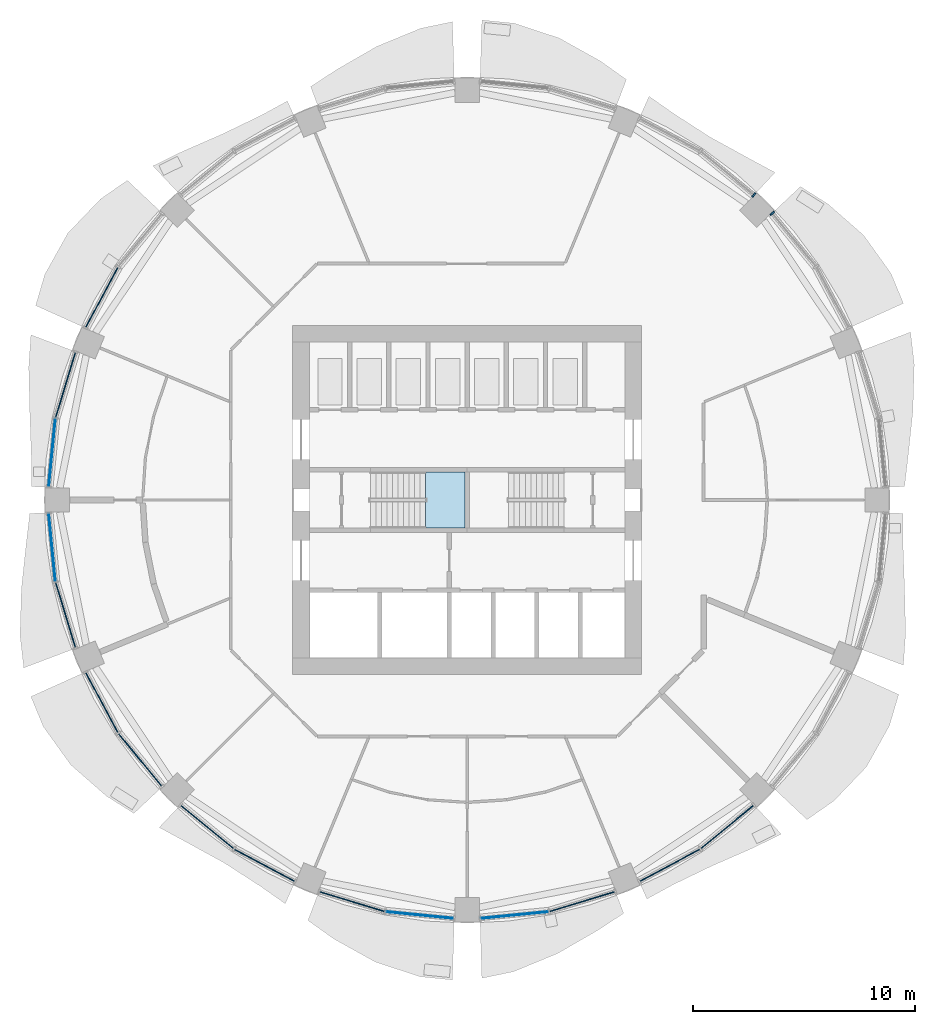
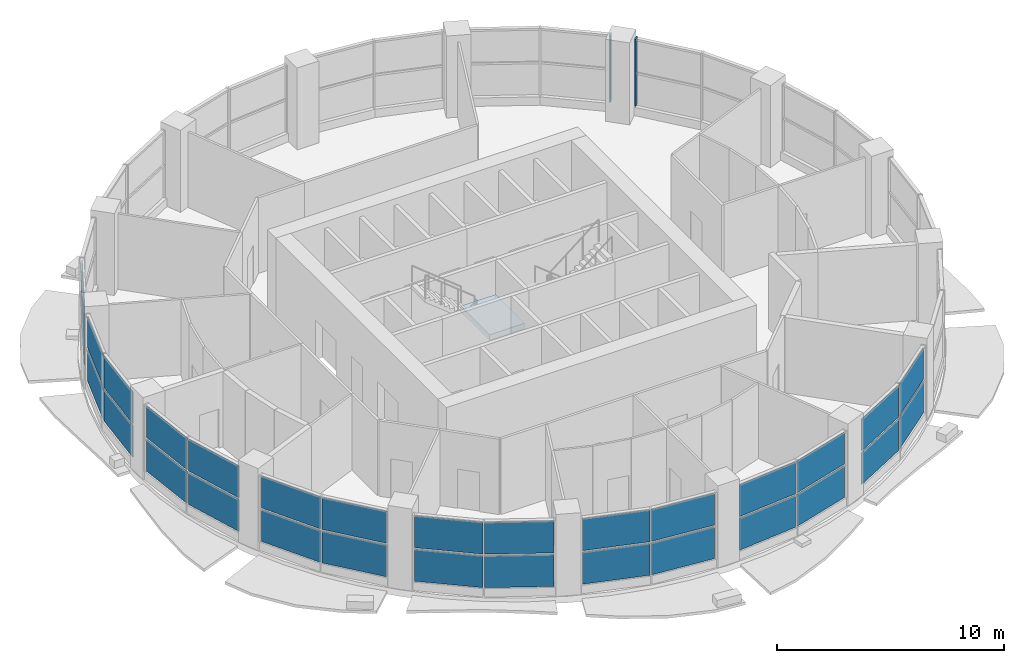
# One storey, part 4 of 13: 30 plates, 2 members, 1 slab, 11 elements without a shape of their own.
"""IFC4 building model written with IfcOpenShell, lengths in metres."""

from ifc_helpers import new_model, si_unit, direction, frame, origin, origin_2d, place, context, subcontext, project, spatial, polyline, rectangle, outline, extrude, material, layer, layer_set, material_profile, profile_set, type_object, element, aggregate, save


model = new_model("IFC4")

# Units and contexts
model_context = context("Model", 3, precision=1e-05, world=origin(), true_north=direction((0.0, 1.0)))
body_context = subcontext(model_context, "Body", "Model", "MODEL_VIEW")
ifc_project = project(units=[si_unit("LENGTHUNIT", "METRE"), si_unit("AREAUNIT", "SQUARE_METRE"), si_unit("VOLUMEUNIT", "CUBIC_METRE"), si_unit("PLANEANGLEUNIT", "RADIAN"), si_unit("MASSUNIT", "GRAM", prefix="KILO")], contexts=[model_context])

# Site, building, storey
site_placement = place(None, origin())
site = spatial("IfcSite", under=ifc_project, at=site_placement, CompositionType="ELEMENT")
building_placement = place(site_placement, origin())
building = spatial("IfcBuilding", under=site, at=building_placement, Name="Polderwave Tower", CompositionType="ELEMENT")
storey_placement = place(building_placement, frame((0.0, 0.0, 116.550048828125)))
storey = spatial("IfcBuildingStorey", under=building, at=storey_placement, Name="L30", CompositionType="ELEMENT", Elevation=116.550048828125)

# Curtain wall, member
ifc_material_1 = material(Name="Aluminium 6063-T6 and glass", Category="aluminium")
curtain_wall_type = type_object("IfcCurtainWallType", Name="Sky floor glazing wall", PredefinedType="NOTDEFINED", material=ifc_material_1)
curtain_wall_1_placement = place(storey_placement, origin())
curtain_wall_1 = element("IfcCurtainWall", 1, at=curtain_wall_1_placement, inside=storey, type_object=curtain_wall_type, Name="CW4 L30 01", PredefinedType="NOTDEFINED")
ifc_material_2 = material(Name="Aluminium 6063-T6", Category="aluminium")
ifc_material_profile = material_profile(ifc_material_2, rectangle(XDim=0.239990234375, YDim=0.074951171875, at=origin_2d()), Name="AL 75x240")
ifc_profile_set = profile_set([ifc_material_profile], Name="Aluminium 6063-T6")
member_type = type_object("IfcMemberType", Name="Sky floor glazing mullion 75x240", PredefinedType="MULLION", material=ifc_profile_set)
member_1_placement = place(storey_placement, frame((13.773681640625, 12.943115234375, 0.449951171875), z_axis=(0.0, 0.0, 1.0), x_axis=(-0.77296948442, -0.634443201678, 0.0)))
member_1 = element("IfcMember", 2, at=member_1_placement, type_object=member_type, Name="CW4 mullion 3", PredefinedType="MULLION", context=body_context, shape_type="SweptSolid", body=[
    extrude(rectangle(XDim=0.239990234375, YDim=0.074951171875, at=origin_2d()), origin(), (0.0, 0.0, 1.0), 3.60009765625),
])
aggregate(curtain_wall_1, [member_1])

curtain_wall_2_placement = place(storey_placement, origin())
curtain_wall_2 = element("IfcCurtainWall", 3, at=curtain_wall_2_placement, inside=storey, type_object=curtain_wall_type, Name="CW4 L30 02", PredefinedType="NOTDEFINED")
member_2_placement = place(storey_placement, frame((12.943115234375, 13.773681640625, 0.449951171875), z_axis=(0.0, 0.0, 1.0), x_axis=(-0.634443201678, -0.77296948442, 0.0)))
member_2 = element("IfcMember", 4, at=member_2_placement, type_object=member_type, Name="CW4 mullion 1", PredefinedType="MULLION", context=body_context, shape_type="SweptSolid", body=[
    extrude(rectangle(XDim=0.239990234375, YDim=0.074951171875, at=origin_2d()), origin(), (0.0, 0.0, 1.0), 3.60009765625),
])
aggregate(curtain_wall_2, [member_2])

# Curtain wall, plates
curtain_wall_3_placement = place(storey_placement, origin())
curtain_wall_3 = element("IfcCurtainWall", 5, at=curtain_wall_3_placement, inside=storey, type_object=curtain_wall_type, Name="CW4 L30 06", PredefinedType="NOTDEFINED")
ifc_material_3 = material(Name="Glass, low-e laminated double glazing", Category="glass")
ifc_layer_1 = layer(ifc_material_3, 0.0439453125)
ifc_layer_set_1 = layer_set([ifc_layer_1], Name="Sky floor glazing glass panel 44 mm")
plate_type = type_object("IfcPlateType", Name="Sky floor glazing glass panel 44 mm", PredefinedType="CURTAIN_PANEL", material=ifc_layer_set_1)
plate_1_placement = place(storey_placement, frame((-16.49267578125, 9.14990234375, 0.4501953125), z_axis=(0.0, 0.0, 1.0), x_axis=(-0.471458305396, -0.881888352499, 0.0)))
plate_1 = element("IfcPlate", 6, at=plate_1_placement, type_object=plate_type, Name="CW4 panel 3", PredefinedType="CURTAIN_PANEL", context=body_context, shape_type="SweptSolid", body=[
    extrude(rectangle(XDim=3.050048828125, YDim=0.0439453125, at=origin_2d()), origin(), (0.0, 0.0, 1.0), 1.699951171875),
])
plate_2_placement = place(storey_placement, frame((-16.49267578125, 9.14990234375, 2.25), z_axis=(0.0, 0.0, 1.0), x_axis=(-0.471458305396, -0.881888352499, 0.0)))
plate_2 = element("IfcPlate", 7, at=plate_2_placement, type_object=plate_type, Name="CW4 panel 4", PredefinedType="CURTAIN_PANEL", context=body_context, shape_type="SweptSolid", body=[
    extrude(rectangle(XDim=3.050048828125, YDim=0.0439453125, at=origin_2d()), origin(), (0.0, 0.0, 1.0), 1.699951171875),
])
aggregate(curtain_wall_3, [plate_1, plate_2])

curtain_wall_4_placement = place(storey_placement, origin())
curtain_wall_4 = element("IfcCurtainWall", 8, at=curtain_wall_4_placement, inside=storey, type_object=curtain_wall_type, Name="CW4 L30 07", PredefinedType="NOTDEFINED")
plate_3_placement = place(storey_placement, frame((-18.13232421875, 5.192138671875, 0.4501953125), z_axis=(0.0, 0.0, 1.0), x_axis=(-0.290306389467, -0.956933749135, 0.0)))
plate_3 = element("IfcPlate", 9, at=plate_3_placement, type_object=plate_type, Name="CW4 panel 1", PredefinedType="CURTAIN_PANEL", context=body_context, shape_type="SweptSolid", body=[
    extrude(rectangle(XDim=3.0498046875, YDim=0.0439453125, at=origin_2d()), origin(), (0.0, 0.0, 1.0), 1.699951171875),
])
plate_4_placement = place(storey_placement, frame((-18.13232421875, 5.192138671875, 2.25), z_axis=(0.0, 0.0, 1.0), x_axis=(-0.290306389467, -0.956933749135, 0.0)))
plate_4 = element("IfcPlate", 10, at=plate_4_placement, type_object=plate_type, Name="CW4 panel 2", PredefinedType="CURTAIN_PANEL", context=body_context, shape_type="SweptSolid", body=[
    extrude(rectangle(XDim=3.0498046875, YDim=0.0439453125, at=origin_2d()), origin(), (0.0, 0.0, 1.0), 1.699951171875),
])
plate_5_placement = place(storey_placement, frame((-18.7392578125, 2.14208984375, 0.4501953125), z_axis=(0.0, 0.0, 1.0), x_axis=(-0.098032772643, -0.9951831869, 0.0)))
plate_5 = element("IfcPlate", 11, at=plate_5_placement, type_object=plate_type, Name="CW4 panel 3", PredefinedType="CURTAIN_PANEL", context=body_context, shape_type="SweptSolid", body=[
    extrude(rectangle(XDim=3.0498046875, YDim=0.0439453125, at=origin_2d()), origin(), (0.0, 0.0, 1.0), 1.699951171875),
])
plate_6_placement = place(storey_placement, frame((-18.7392578125, 2.14208984375, 2.25), z_axis=(0.0, 0.0, 1.0), x_axis=(-0.098032772643, -0.9951831869, 0.0)))
plate_6 = element("IfcPlate", 12, at=plate_6_placement, type_object=plate_type, Name="CW4 panel 4", PredefinedType="CURTAIN_PANEL", context=body_context, shape_type="SweptSolid", body=[
    extrude(rectangle(XDim=3.0498046875, YDim=0.0439453125, at=origin_2d()), origin(), (0.0, 0.0, 1.0), 1.699951171875),
])
aggregate(curtain_wall_4, [plate_3, plate_4, plate_5, plate_6])

curtain_wall_5_placement = place(storey_placement, origin())
curtain_wall_5 = element("IfcCurtainWall", 13, at=curtain_wall_5_placement, inside=storey, type_object=curtain_wall_type, Name="CW4 L30 08", PredefinedType="NOTDEFINED")
plate_7_placement = place(storey_placement, frame((-18.7392578125, -2.14208984375, 0.4501953125), z_axis=(0.0, 0.0, 1.0), x_axis=(0.098032772643, -0.9951831869, 0.0)))
plate_7 = element("IfcPlate", 14, at=plate_7_placement, type_object=plate_type, Name="CW4 panel 1", PredefinedType="CURTAIN_PANEL", context=body_context, shape_type="SweptSolid", body=[
    extrude(rectangle(XDim=3.0498046875, YDim=0.0439453125, at=origin_2d()), origin(), (0.0, 0.0, 1.0), 1.699951171875),
])
plate_8_placement = place(storey_placement, frame((-18.7392578125, -2.14208984375, 2.25), z_axis=(0.0, 0.0, 1.0), x_axis=(0.098032772643, -0.9951831869, 0.0)))
plate_8 = element("IfcPlate", 15, at=plate_8_placement, type_object=plate_type, Name="CW4 panel 2", PredefinedType="CURTAIN_PANEL", context=body_context, shape_type="SweptSolid", body=[
    extrude(rectangle(XDim=3.0498046875, YDim=0.0439453125, at=origin_2d()), origin(), (0.0, 0.0, 1.0), 1.699951171875),
])
plate_9_placement = place(storey_placement, frame((-18.13232421875, -5.192138671875, 0.4501953125), z_axis=(0.0, 0.0, 1.0), x_axis=(0.290306389467, -0.956933749135, 0.0)))
plate_9 = element("IfcPlate", 16, at=plate_9_placement, type_object=plate_type, Name="CW4 panel 3", PredefinedType="CURTAIN_PANEL", context=body_context, shape_type="SweptSolid", body=[
    extrude(rectangle(XDim=3.0498046875, YDim=0.0439453125, at=origin_2d()), origin(), (0.0, 0.0, 1.0), 1.699951171875),
])
plate_10_placement = place(storey_placement, frame((-18.13232421875, -5.192138671875, 2.25), z_axis=(0.0, 0.0, 1.0), x_axis=(0.290306389467, -0.956933749135, 0.0)))
plate_10 = element("IfcPlate", 17, at=plate_10_placement, type_object=plate_type, Name="CW4 panel 4", PredefinedType="CURTAIN_PANEL", context=body_context, shape_type="SweptSolid", body=[
    extrude(rectangle(XDim=3.0498046875, YDim=0.0439453125, at=origin_2d()), origin(), (0.0, 0.0, 1.0), 1.699951171875),
])
aggregate(curtain_wall_5, [plate_7, plate_8, plate_9, plate_10])

curtain_wall_6_placement = place(storey_placement, origin())
curtain_wall_6 = element("IfcCurtainWall", 18, at=curtain_wall_6_placement, inside=storey, type_object=curtain_wall_type, Name="CW4 L30 09", PredefinedType="NOTDEFINED")
plate_11_placement = place(storey_placement, frame((-16.49267578125, -9.14990234375, 0.4501953125), z_axis=(0.0, 0.0, 1.0), x_axis=(0.471458305396, -0.881888352499, 0.0)))
plate_11 = element("IfcPlate", 19, at=plate_11_placement, type_object=plate_type, Name="CW4 panel 1", PredefinedType="CURTAIN_PANEL", context=body_context, shape_type="SweptSolid", body=[
    extrude(rectangle(XDim=3.050048828125, YDim=0.0439453125, at=origin_2d()), origin(), (0.0, 0.0, 1.0), 1.699951171875),
])
plate_12_placement = place(storey_placement, frame((-16.49267578125, -9.14990234375, 2.25), z_axis=(0.0, 0.0, 1.0), x_axis=(0.471458305396, -0.881888352499, 0.0)))
plate_12 = element("IfcPlate", 20, at=plate_12_placement, type_object=plate_type, Name="CW4 panel 2", PredefinedType="CURTAIN_PANEL", context=body_context, shape_type="SweptSolid", body=[
    extrude(rectangle(XDim=3.050048828125, YDim=0.0439453125, at=origin_2d()), origin(), (0.0, 0.0, 1.0), 1.699951171875),
])
plate_13_placement = place(storey_placement, frame((-14.764892578125, -11.735595703125, 0.4501953125), z_axis=(0.0, 0.0, 1.0), x_axis=(0.634443201678, -0.77296948442, 0.0)))
plate_13 = element("IfcPlate", 21, at=plate_13_placement, type_object=plate_type, Name="CW4 panel 3", PredefinedType="CURTAIN_PANEL", context=body_context, shape_type="SweptSolid", body=[
    extrude(rectangle(XDim=3.04931640625, YDim=0.0439453125, at=origin_2d()), origin(), (0.0, 0.0, 1.0), 1.699951171875),
])
plate_14_placement = place(storey_placement, frame((-14.764892578125, -11.735595703125, 2.25), z_axis=(0.0, 0.0, 1.0), x_axis=(0.634443201678, -0.77296948442, 0.0)))
plate_14 = element("IfcPlate", 22, at=plate_14_placement, type_object=plate_type, Name="CW4 panel 4", PredefinedType="CURTAIN_PANEL", context=body_context, shape_type="SweptSolid", body=[
    extrude(rectangle(XDim=3.04931640625, YDim=0.0439453125, at=origin_2d()), origin(), (0.0, 0.0, 1.0), 1.699951171875),
])
aggregate(curtain_wall_6, [plate_11, plate_12, plate_13, plate_14])

curtain_wall_7_placement = place(storey_placement, origin())
curtain_wall_7 = element("IfcCurtainWall", 23, at=curtain_wall_7_placement, inside=storey, type_object=curtain_wall_type, Name="CW4 L30 10", PredefinedType="NOTDEFINED")
plate_15_placement = place(storey_placement, frame((-11.735595703125, -14.764892578125, 0.4501953125), z_axis=(0.0, 0.0, 1.0), x_axis=(0.77296948442, -0.634443201678, 0.0)))
plate_15 = element("IfcPlate", 24, at=plate_15_placement, type_object=plate_type, Name="CW4 panel 1", PredefinedType="CURTAIN_PANEL", context=body_context, shape_type="SweptSolid", body=[
    extrude(rectangle(XDim=3.04931640625, YDim=0.0439453125, at=origin_2d()), origin(), (0.0, 0.0, 1.0), 1.699951171875),
])
plate_16_placement = place(storey_placement, frame((-11.735595703125, -14.764892578125, 2.25), z_axis=(0.0, 0.0, 1.0), x_axis=(0.77296948442, -0.634443201678, 0.0)))
plate_16 = element("IfcPlate", 25, at=plate_16_placement, type_object=plate_type, Name="CW4 panel 2", PredefinedType="CURTAIN_PANEL", context=body_context, shape_type="SweptSolid", body=[
    extrude(rectangle(XDim=3.04931640625, YDim=0.0439453125, at=origin_2d()), origin(), (0.0, 0.0, 1.0), 1.699951171875),
])
plate_17_placement = place(storey_placement, frame((-9.14990234375, -16.49267578125, 0.4501953125), z_axis=(0.0, 0.0, 1.0), x_axis=(0.881888352499, -0.471458305396, 0.0)))
plate_17 = element("IfcPlate", 26, at=plate_17_placement, type_object=plate_type, Name="CW4 panel 3", PredefinedType="CURTAIN_PANEL", context=body_context, shape_type="SweptSolid", body=[
    extrude(rectangle(XDim=3.050048828125, YDim=0.0439453125, at=origin_2d()), origin(), (0.0, 0.0, 1.0), 1.699951171875),
])
plate_18_placement = place(storey_placement, frame((-9.14990234375, -16.49267578125, 2.25), z_axis=(0.0, 0.0, 1.0), x_axis=(0.881888352499, -0.471458305396, 0.0)))
plate_18 = element("IfcPlate", 27, at=plate_18_placement, type_object=plate_type, Name="CW4 panel 4", PredefinedType="CURTAIN_PANEL", context=body_context, shape_type="SweptSolid", body=[
    extrude(rectangle(XDim=3.050048828125, YDim=0.0439453125, at=origin_2d()), origin(), (0.0, 0.0, 1.0), 1.699951171875),
])
aggregate(curtain_wall_7, [plate_15, plate_16, plate_17, plate_18])

curtain_wall_8_placement = place(storey_placement, origin())
curtain_wall_8 = element("IfcCurtainWall", 28, at=curtain_wall_8_placement, inside=storey, type_object=curtain_wall_type, Name="CW4 L30 11", PredefinedType="NOTDEFINED")
plate_19_placement = place(storey_placement, frame((-5.192138671875, -18.13232421875, 0.4501953125), z_axis=(0.0, 0.0, 1.0), x_axis=(0.956933749135, -0.290306389467, 0.0)))
plate_19 = element("IfcPlate", 29, at=plate_19_placement, type_object=plate_type, Name="CW4 panel 1", PredefinedType="CURTAIN_PANEL", context=body_context, shape_type="SweptSolid", body=[
    extrude(rectangle(XDim=3.0498046875, YDim=0.0439453125, at=origin_2d()), origin(), (0.0, 0.0, 1.0), 1.699951171875),
])
plate_20_placement = place(storey_placement, frame((-5.192138671875, -18.13232421875, 2.25), z_axis=(0.0, 0.0, 1.0), x_axis=(0.956933749135, -0.290306389467, 0.0)))
plate_20 = element("IfcPlate", 30, at=plate_20_placement, type_object=plate_type, Name="CW4 panel 2", PredefinedType="CURTAIN_PANEL", context=body_context, shape_type="SweptSolid", body=[
    extrude(rectangle(XDim=3.0498046875, YDim=0.0439453125, at=origin_2d()), origin(), (0.0, 0.0, 1.0), 1.699951171875),
])
plate_21_placement = place(storey_placement, frame((-2.14208984375, -18.7392578125, 0.4501953125), z_axis=(0.0, 0.0, 1.0), x_axis=(0.9951831869, -0.098032772643, 0.0)))
plate_21 = element("IfcPlate", 31, at=plate_21_placement, type_object=plate_type, Name="CW4 panel 3", PredefinedType="CURTAIN_PANEL", context=body_context, shape_type="SweptSolid", body=[
    extrude(rectangle(XDim=3.0498046875, YDim=0.0439453125, at=origin_2d()), origin(), (0.0, 0.0, 1.0), 1.699951171875),
])
plate_22_placement = place(storey_placement, frame((-2.14208984375, -18.7392578125, 2.25), z_axis=(0.0, 0.0, 1.0), x_axis=(0.9951831869, -0.098032772643, 0.0)))
plate_22 = element("IfcPlate", 32, at=plate_22_placement, type_object=plate_type, Name="CW4 panel 4", PredefinedType="CURTAIN_PANEL", context=body_context, shape_type="SweptSolid", body=[
    extrude(rectangle(XDim=3.0498046875, YDim=0.0439453125, at=origin_2d()), origin(), (0.0, 0.0, 1.0), 1.699951171875),
])
aggregate(curtain_wall_8, [plate_19, plate_20, plate_21, plate_22])

curtain_wall_9_placement = place(storey_placement, origin())
curtain_wall_9 = element("IfcCurtainWall", 33, at=curtain_wall_9_placement, inside=storey, type_object=curtain_wall_type, Name="CW4 L30 12", PredefinedType="NOTDEFINED")
plate_23_placement = place(storey_placement, frame((2.14208984375, -18.7392578125, 0.4501953125), z_axis=(0.0, 0.0, 1.0), x_axis=(0.9951831869, 0.098032772643, 0.0)))
plate_23 = element("IfcPlate", 34, at=plate_23_placement, type_object=plate_type, Name="CW4 panel 1", PredefinedType="CURTAIN_PANEL", context=body_context, shape_type="SweptSolid", body=[
    extrude(rectangle(XDim=3.0498046875, YDim=0.0439453125, at=origin_2d()), origin(), (0.0, 0.0, 1.0), 1.699951171875),
])
plate_24_placement = place(storey_placement, frame((2.14208984375, -18.7392578125, 2.25), z_axis=(0.0, 0.0, 1.0), x_axis=(0.9951831869, 0.098032772643, 0.0)))
plate_24 = element("IfcPlate", 35, at=plate_24_placement, type_object=plate_type, Name="CW4 panel 2", PredefinedType="CURTAIN_PANEL", context=body_context, shape_type="SweptSolid", body=[
    extrude(rectangle(XDim=3.0498046875, YDim=0.0439453125, at=origin_2d()), origin(), (0.0, 0.0, 1.0), 1.699951171875),
])
plate_25_placement = place(storey_placement, frame((5.192138671875, -18.13232421875, 0.4501953125), z_axis=(0.0, 0.0, 1.0), x_axis=(0.956933749135, 0.290306389467, 0.0)))
plate_25 = element("IfcPlate", 36, at=plate_25_placement, type_object=plate_type, Name="CW4 panel 3", PredefinedType="CURTAIN_PANEL", context=body_context, shape_type="SweptSolid", body=[
    extrude(rectangle(XDim=3.0498046875, YDim=0.0439453125, at=origin_2d()), origin(), (0.0, 0.0, 1.0), 1.699951171875),
])
plate_26_placement = place(storey_placement, frame((5.192138671875, -18.13232421875, 2.25), z_axis=(0.0, 0.0, 1.0), x_axis=(0.956933749135, 0.290306389467, 0.0)))
plate_26 = element("IfcPlate", 37, at=plate_26_placement, type_object=plate_type, Name="CW4 panel 4", PredefinedType="CURTAIN_PANEL", context=body_context, shape_type="SweptSolid", body=[
    extrude(rectangle(XDim=3.0498046875, YDim=0.0439453125, at=origin_2d()), origin(), (0.0, 0.0, 1.0), 1.699951171875),
])
aggregate(curtain_wall_9, [plate_23, plate_24, plate_25, plate_26])

curtain_wall_10_placement = place(storey_placement, origin())
curtain_wall_10 = element("IfcCurtainWall", 38, at=curtain_wall_10_placement, inside=storey, type_object=curtain_wall_type, Name="CW4 L30 13", PredefinedType="NOTDEFINED")
plate_27_placement = place(storey_placement, frame((9.14990234375, -16.49267578125, 0.4501953125), z_axis=(0.0, 0.0, 1.0), x_axis=(0.881888352499, 0.471458305396, 0.0)))
plate_27 = element("IfcPlate", 39, at=plate_27_placement, type_object=plate_type, Name="CW4 panel 1", PredefinedType="CURTAIN_PANEL", context=body_context, shape_type="SweptSolid", body=[
    extrude(rectangle(XDim=3.050048828125, YDim=0.0439453125, at=origin_2d()), origin(), (0.0, 0.0, 1.0), 1.699951171875),
])
plate_28_placement = place(storey_placement, frame((9.14990234375, -16.49267578125, 2.25), z_axis=(0.0, 0.0, 1.0), x_axis=(0.881888352499, 0.471458305396, 0.0)))
plate_28 = element("IfcPlate", 40, at=plate_28_placement, type_object=plate_type, Name="CW4 panel 2", PredefinedType="CURTAIN_PANEL", context=body_context, shape_type="SweptSolid", body=[
    extrude(rectangle(XDim=3.050048828125, YDim=0.0439453125, at=origin_2d()), origin(), (0.0, 0.0, 1.0), 1.699951171875),
])
plate_29_placement = place(storey_placement, frame((11.735595703125, -14.764892578125, 0.4501953125), z_axis=(0.0, 0.0, 1.0), x_axis=(0.77296948442, 0.634443201678, 0.0)))
plate_29 = element("IfcPlate", 41, at=plate_29_placement, type_object=plate_type, Name="CW4 panel 3", PredefinedType="CURTAIN_PANEL", context=body_context, shape_type="SweptSolid", body=[
    extrude(rectangle(XDim=3.04931640625, YDim=0.0439453125, at=origin_2d()), origin(), (0.0, 0.0, 1.0), 1.699951171875),
])
plate_30_placement = place(storey_placement, frame((11.735595703125, -14.764892578125, 2.25), z_axis=(0.0, 0.0, 1.0), x_axis=(0.77296948442, 0.634443201678, 0.0)))
plate_30 = element("IfcPlate", 42, at=plate_30_placement, type_object=plate_type, Name="CW4 panel 4", PredefinedType="CURTAIN_PANEL", context=body_context, shape_type="SweptSolid", body=[
    extrude(rectangle(XDim=3.04931640625, YDim=0.0439453125, at=origin_2d()), origin(), (0.0, 0.0, 1.0), 1.699951171875),
])
aggregate(curtain_wall_10, [plate_27, plate_28, plate_29, plate_30])

# Stair, slab
ifc_material_4 = material(Name="Concrete C40/50", Category="concrete")
stair_type = type_object("IfcStairType", Name="Exit stair 1200 x 22 risers", PredefinedType="HALF_TURN_STAIR", material=ifc_material_4)
stair_placement = place(storey_placement, origin())
stair = element("IfcStair", 43, at=stair_placement, inside=storey, type_object=stair_type, Name="L30 Exit stair A", PredefinedType="HALF_TURN_STAIR")
ifc_layer_2 = layer(ifc_material_4, 0.300048828125)
ifc_layer_set_2 = layer_set([ifc_layer_2], Name="Stair landing 300")
slab_type = type_object("IfcSlabType", Name="Stair landing 300", PredefinedType="LANDING", material=ifc_layer_set_2)
slab_placement = place(storey_placement, frame((0.0, 0.0, 1.89990234375)))
slab = element("IfcSlab", 44, at=slab_placement, type_object=slab_type, Name="ST-A landing 1", PredefinedType="LANDING", context=body_context, shape_type="SweptSolid", body=[
    extrude(outline(polyline([(-1.8740234375, -1.27490234375), (-0.10009765625, -1.27490234375), (-0.10009765625, 1.27490234375), (-1.8740234375, 1.27490234375), (-1.8740234375, -1.27490234375)])), origin(), (0.0, 0.0, 1.0), 0.300048828125),
])
aggregate(stair, [slab])

save(model, "model.ifc")
